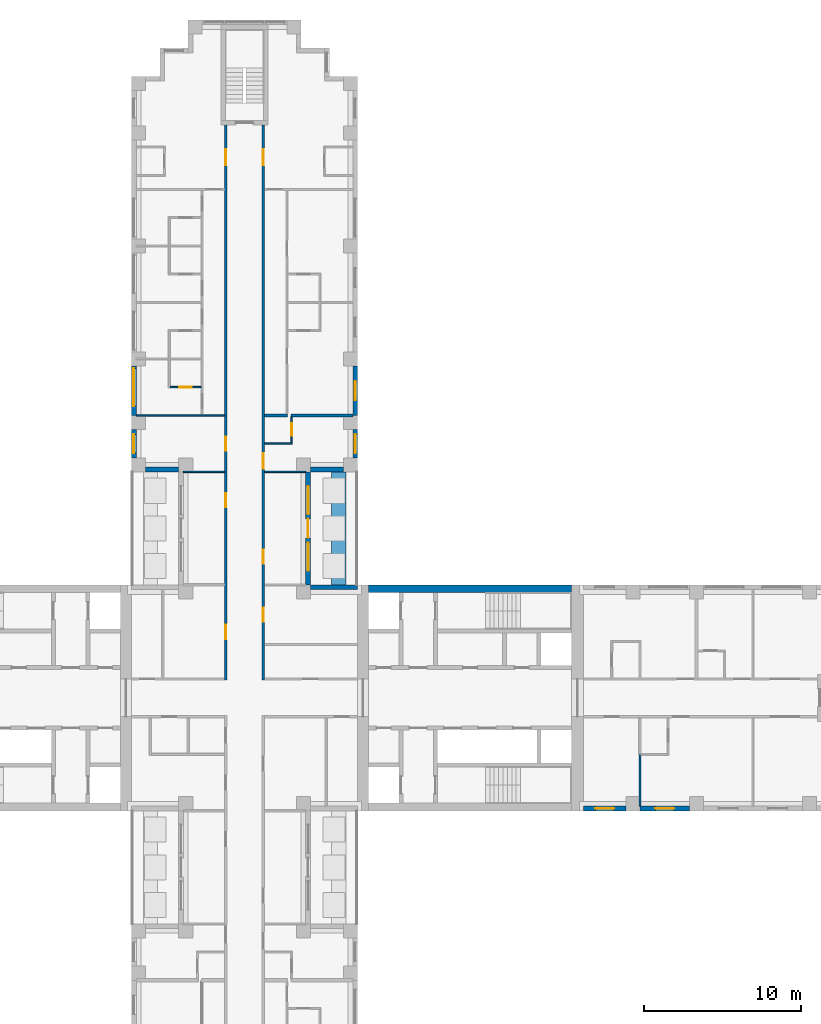
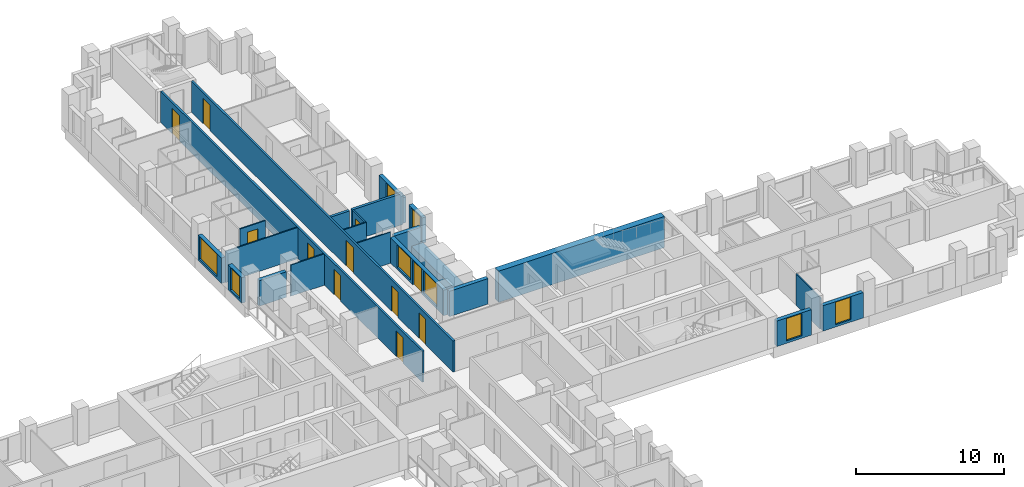
# One storey, part 9 of 15: 23 walls, 11 doors, 8 windows, 19 openings.
"""IFC4 building model written with IfcOpenShell, lengths in metres."""

import ifcopenshell
import ifcopenshell.guid

model = None  # the IFC model being written
_history = None  # IfcOwnerHistory: only IFC2X3 demands one
_inside = {}  # id of a spatial element -> (the spatial element, [elements in it])
_under = {}  # id of a project, library or spatial element -> (it, [spatial elements below it])
_declared = {}  # id of a project -> (the project, [libraries it declares])
_typed = {}  # id of a type object -> (the type object, [elements of that type])
_made_of = {}  # id of a material, layer set ... -> (it, [elements and type objects made of it])


def new_model(schema):
    """Start an empty IFC model of exactly this schema.

    Asked for "IFC4X3", IfcOpenShell would pick the latest addendum, in which some entities
    have other attributes; the version numbers below select the first issue.
    IFC2X3 requires an IfcOwnerHistory on every rooted entity: one is made here for all.
    """
    global model, _history
    if schema == "IFC4X3":
        model = ifcopenshell.file(schema_version=(4, 3, 0, 0))
    else:
        model = ifcopenshell.file(schema=schema)
    _inside.clear()
    _under.clear()
    _declared.clear()
    _typed.clear()
    _made_of.clear()
    _history = None
    if model.schema == "IFC2X3":
        org = make("IfcOrganization", Name="unknown")
        user = make(
            "IfcPersonAndOrganization",
            ThePerson=make("IfcPerson", FamilyName="unknown"),
            TheOrganization=org,
        )
        app = make(
            "IfcApplication",
            ApplicationDeveloper=org,
            Version="unknown",
            ApplicationFullName="unknown",
            ApplicationIdentifier="unknown",
        )
        _history = make(
            "IfcOwnerHistory",
            OwningUser=user,
            OwningApplication=app,
            ChangeAction="ADDED",
            CreationDate=0,
        )
    return model


def make(cls, **values):
    """One entity of the class cls with the attributes given. An attribute that is None is left unset."""
    return model.create_entity(
        cls, **{name: value for name, value in values.items() if value is not None}
    )


def rooted(cls, **values):
    """An entity with a GlobalId (a new one), such as an element, a storey or a relation."""
    return make(cls, GlobalId=ifcopenshell.guid.new(), OwnerHistory=_history, **values)


def si_unit(unit_type, name, prefix=None):
    """IfcSIUnit, for example si_unit("LENGTHUNIT", "METRE", prefix="MILLI")."""
    return make("IfcSIUnit", UnitType=unit_type, Prefix=prefix, Name=name)


def assignment(units):
    """IfcUnitAssignment: the units of a project."""
    return None if units is None else make("IfcUnitAssignment", Units=units)


def point(xyz):
    """IfcCartesianPoint."""
    return None if xyz is None else make("IfcCartesianPoint", Coordinates=xyz)


def direction(xyz):
    """IfcDirection."""
    return None if xyz is None else make("IfcDirection", DirectionRatios=xyz)


def frame(location, z_axis=None, x_axis=None):
    """IfcAxis2Placement3D, a coordinate frame: its origin and axes. An axis left out is left unset."""
    return make(
        "IfcAxis2Placement3D",
        Location=point(location),
        Axis=direction(z_axis),
        RefDirection=direction(x_axis),
    )


def frame_2d(location, x_axis=None):
    """IfcAxis2Placement2D, a coordinate frame in the plane: its origin and x axis."""
    return make(
        "IfcAxis2Placement2D", Location=point(location), RefDirection=direction(x_axis)
    )


def origin():
    """The frame at (0, 0, 0) with its axes left unset."""
    return frame((0.0, 0.0, 0.0))


def place(relative_to, where):
    """IfcLocalPlacement: puts the frame where relative to a parent placement (None: the world)."""
    return make(
        "IfcLocalPlacement", PlacementRelTo=relative_to, RelativePlacement=where
    )


def context(
    kind, dimensions, precision=None, world=None, true_north=None, identifier=None
):
    """IfcGeometricRepresentationContext, for example the 3D "Model" context."""
    return make(
        "IfcGeometricRepresentationContext",
        ContextIdentifier=identifier,
        ContextType=kind,
        CoordinateSpaceDimension=dimensions,
        Precision=precision,
        WorldCoordinateSystem=world,
        TrueNorth=true_north,
    )


def subcontext(parent, identifier, kind, view, scale=None):
    """IfcGeometricRepresentationSubContext, for example "Body" below "Model"."""
    return make(
        "IfcGeometricRepresentationSubContext",
        ContextIdentifier=identifier,
        ContextType=kind,
        ParentContext=parent,
        TargetScale=scale,
        TargetView=view,
    )


def project(units=None, contexts=None):
    """IfcProject with its units and contexts."""
    return rooted(
        "IfcProject",
        Name="project",
        RepresentationContexts=contexts,
        UnitsInContext=assignment(units),
    )


def spatial(cls, under=None, at=None, **own):
    """A site, building, storey or space (cls), placed at a placement, below another one or the project."""
    s = rooted(cls, ObjectPlacement=at, **own)
    if under is not None:
        _under.setdefault(under.id(), (under, []))[1].append(s)
    return s


def profile(cls, at=None, kind="AREA", **sizes):
    """A parametric profile (cls). Its sizes go by their IFC names, for example OverallWidth=200.0."""
    return make(cls, ProfileType=kind, Position=at, **sizes)


def rectangle(**sizes):
    """IfcRectangleProfileDef."""
    return profile("IfcRectangleProfileDef", **sizes)


def extrude(swept, where, along, depth):
    """IfcExtrudedAreaSolid: the profile swept, set in the frame where, extruded along a direction by depth."""
    return make(
        "IfcExtrudedAreaSolid",
        SweptArea=swept,
        Position=where,
        ExtrudedDirection=direction(along),
        Depth=depth,
    )


def shape(context_of_items, identifier, shape_type, items):
    """IfcShapeRepresentation: the items that make up one representation, for example the "Body"."""
    return make(
        "IfcShapeRepresentation",
        ContextOfItems=context_of_items,
        RepresentationIdentifier=identifier,
        RepresentationType=shape_type,
        Items=items,
    )


def material(Name=None, Category=None):
    """IfcMaterial."""
    return make("IfcMaterial", Name=Name, Category=Category)


def layer(
    of_material, thickness, ventilated=None, Name=None, Category=None, Priority=None
):
    """IfcMaterialLayer: one layer of a wall or slab, of a material (None: an air gap)."""
    return make(
        "IfcMaterialLayer",
        Material=of_material,
        LayerThickness=thickness,
        IsVentilated=ventilated,
        Name=Name,
        Category=Category,
        Priority=Priority,
    )


def layer_set(layers, Name=None):
    """IfcMaterialLayerSet."""
    return make("IfcMaterialLayerSet", MaterialLayers=layers, LayerSetName=Name)


def made_of(thing, what):
    """Note that an element or type object is made of a material, layer set ...; save() writes the relation."""
    if what is not None:
        _made_of.setdefault(what.id(), (what, []))[1].append(thing)
    return thing


def type_object(cls, material=None, **own):
    """A type object (cls), such as IfcWallType, which elements share."""
    return made_of(rooted(cls, **own), material)


def element(
    cls,
    number,
    at=None,
    inside=None,
    cuts=None,
    type_object=None,
    material=None,
    context=None,
    identifier="Body",
    shape_type=None,
    held_by="IfcProductDefinitionShape",
    body=None,
    shapes=None,
    **own,
):
    """One element of the class cls, such as IfcWall. Its Tag is "e" and its number.

    at: its placement. inside: the storey or other place that contains it. cuts: it is an
    opening in that element (IfcRelVoidsElement). A single representation is given by context,
    identifier, shape_type and body (its items); several are given by shapes. held_by: the class
    of the entity that holds the representations. save() writes the other relations.
    """
    e = rooted(cls, Tag="e%d" % number, ObjectPlacement=at, **own)
    if body is not None:
        shapes = [shape(context, identifier, shape_type, body)]
    if shapes is not None:
        e.Representation = make(held_by, Representations=shapes)
    if inside is not None:
        _inside.setdefault(inside.id(), (inside, []))[1].append(e)
    if cuts is not None:
        rooted(
            "IfcRelVoidsElement", RelatingBuildingElement=cuts, RelatedOpeningElement=e
        )
    if type_object is not None:
        _typed.setdefault(type_object.id(), (type_object, []))[1].append(e)
    return made_of(e, material)


def fill(opening, filler):
    """IfcRelFillsElement: the door or window that sits in an opening."""
    return rooted(
        "IfcRelFillsElement",
        RelatingOpeningElement=opening,
        RelatedBuildingElement=filler,
    )


def aggregate(whole, parts):
    """IfcRelAggregates: a whole, such as a stair, and the parts it consists of."""
    return rooted("IfcRelAggregates", RelatingObject=whole, RelatedObjects=parts)


def save(model, path):
    """Write the relations noted so far, then the file.

    IfcRelAggregates (storeys below a building ...), IfcRelContainedInSpatialStructure (elements
    in a storey), IfcRelDefinesByType, IfcRelAssociatesMaterial and IfcRelDeclares: one each for
    every whole, place, type object, material and project.
    """
    for whole, parts in _under.values():
        aggregate(whole, parts)
    for where, things in _inside.values():
        rooted(
            "IfcRelContainedInSpatialStructure",
            RelatedElements=things,
            RelatingStructure=where,
        )
    for kind, things in _typed.values():
        rooted("IfcRelDefinesByType", RelatedObjects=things, RelatingType=kind)
    for what, things in _made_of.values():
        rooted("IfcRelAssociatesMaterial", RelatedObjects=things, RelatingMaterial=what)
    for by, libraries in _declared.values():
        rooted("IfcRelDeclares", RelatingContext=by, RelatedDefinitions=libraries)
    model.write(path)


model = new_model("IFC4")

# Units and contexts
model_context = context("Model", 3, precision=1e-05, world=origin(), true_north=direction((0.0, 1.0)))
body_context = subcontext(model_context, "Body", "Model", "MODEL_VIEW")
ifc_project = project(units=[si_unit("LENGTHUNIT", "METRE"), si_unit("AREAUNIT", "SQUARE_METRE"), si_unit("VOLUMEUNIT", "CUBIC_METRE"), si_unit("PLANEANGLEUNIT", "RADIAN"), si_unit("MASSUNIT", "GRAM", prefix="KILO")], contexts=[model_context])

# Site, building, storey
site_placement = place(None, origin())
site = spatial("IfcSite", under=ifc_project, at=site_placement, CompositionType="ELEMENT")
building_placement = place(site_placement, origin())
building = spatial("IfcBuilding", under=site, at=building_placement, Name="Fustian Cross Tower", CompositionType="ELEMENT")
storey_placement = place(building_placement, frame((0.0, 0.0, 29.699951171875)))
storey = spatial("IfcBuildingStorey", under=building, at=storey_placement, Name="L08", CompositionType="ELEMENT", Elevation=29.699951171875)

# Wall, openings, doors
ifc_material_1 = material(Name="Plasterboard on steel stud", Category="steel")
ifc_layer_1 = layer(ifc_material_1, 0.14990234375)
ifc_layer_set_1 = layer_set([ifc_layer_1], Name="Plasterboard on steel stud")
wall_type_1 = type_object("IfcWallType", Name="COMPARTMENT WALL 150 EI 60", PredefinedType="PARTITIONING", material=ifc_layer_set_1)
wall_1_placement = place(storey_placement, frame((-1.199951171875, 1.125, 0.0), z_axis=(0.0, 0.0, 1.0), x_axis=(0.0, 1.0, 0.0)))
wall_1 = element("IfcWall", 1, at=wall_1_placement, inside=storey, type_object=wall_type_1, Name="Partition 46", PredefinedType="PARTITIONING", context=body_context, shape_type="SweptSolid", body=[
    extrude(rectangle(XDim=35.375, YDim=0.14990234375, at=frame_2d((17.6875, 0.0))), origin(), (0.0, 0.0, 1.0), 2.574951171875),
])
opening_1_placement = place(wall_1_placement, frame((2.625, 0.0, 0.0)))
opening_1 = element("IfcOpeningElement", 2, at=opening_1_placement, cuts=wall_1, Name="Opening D06003", PredefinedType="OPENING", context=body_context, shape_type="SweptSolid", body=[
    extrude(rectangle(XDim=0.89990234375, YDim=2.10009765625, at=frame_2d((0.449951171875, 1.050048828125))), frame((0.0, 0.0849609375, 0.0), z_axis=(0.0, -1.0, 0.0), x_axis=(1.0, 0.0, 0.0)), (0.0, 0.0, 1.0), 0.169921875),
])
opening_2_placement = place(wall_1_placement, frame((11.02490234375, 0.0, 0.0)))
opening_2 = element("IfcOpeningElement", 3, at=opening_2_placement, cuts=wall_1, Name="Opening D06019", PredefinedType="OPENING", context=body_context, shape_type="SweptSolid", body=[
    extrude(rectangle(XDim=0.89990234375, YDim=2.10009765625, at=frame_2d((0.449951171875, 1.050048828125))), frame((0.0, 0.0849609375, 0.0), z_axis=(0.0, -1.0, 0.0), x_axis=(1.0, 0.0, 0.0)), (0.0, 0.0, 1.0), 0.169921875),
])
opening_3_placement = place(wall_1_placement, frame((14.625, 0.0, 0.0)))
opening_3 = element("IfcOpeningElement", 4, at=opening_3_placement, cuts=wall_1, Name="Opening D06020", PredefinedType="OPENING", context=body_context, shape_type="SweptSolid", body=[
    extrude(rectangle(XDim=0.89990234375, YDim=2.10009765625, at=frame_2d((0.449951171875, 1.050048828125))), frame((0.0, 0.0849609375, 0.0), z_axis=(0.0, -1.0, 0.0), x_axis=(1.0, 0.0, 0.0)), (0.0, 0.0, 1.0), 0.169921875),
])
opening_4_placement = place(wall_1_placement, frame((32.824951171875, 0.0, 0.0)))
opening_4 = element("IfcOpeningElement", 5, at=opening_4_placement, cuts=wall_1, Name="Opening D06022", PredefinedType="OPENING", context=body_context, shape_type="SweptSolid", body=[
    extrude(rectangle(XDim=1.0, YDim=2.10009765625, at=frame_2d((0.5, 1.050048828125))), frame((0.0, 0.0849609375, 0.0), z_axis=(0.0, -1.0, 0.0), x_axis=(1.0, 0.0, 0.0)), (0.0, 0.0, 1.0), 0.169921875),
])
ifc_material_2 = material(Name="Timber fire door set", Category="wood")
door_type_1 = type_object("IfcDoorType", Name="FIRE SWING DOOR 1000 FD30S", OperationType="SINGLE_SWING_LEFT", PredefinedType="DOOR", material=ifc_material_2)
door_1_placement = place(opening_4_placement, origin())
door_1 = element("IfcDoor", 6, at=door_1_placement, inside=storey, type_object=door_type_1, Name="Door D06022", OperationType="SINGLE_SWING_LEFT", OverallHeight=2.10009765625, OverallWidth=1.0, PredefinedType="DOOR", context=body_context, shape_type="SweptSolid", body=[
    extrude(rectangle(XDim=1.0, YDim=2.10009765625, at=frame_2d((0.5, 1.050048828125))), frame((0.0, 0.02490234375, 0.0), z_axis=(0.0, -1.0, 0.0), x_axis=(1.0, 0.0, 0.0)), (0.0, 0.0, 1.0), 0.050048828125),
])
fill(opening_4, door_1)
ifc_material_3 = material(Name="Timber fire door set", Category="wood")
door_type_2 = type_object("IfcDoorType", Name="FIRE SWING DOOR 900 FD30S", OperationType="SINGLE_SWING_LEFT", PredefinedType="DOOR", material=ifc_material_3)
door_2_placement = place(opening_1_placement, origin())
door_2 = element("IfcDoor", 7, at=door_2_placement, inside=storey, type_object=door_type_2, Name="Door D06003", OperationType="SINGLE_SWING_LEFT", OverallHeight=2.10009765625, OverallWidth=0.89990234375, PredefinedType="DOOR", context=body_context, shape_type="SweptSolid", body=[
    extrude(rectangle(XDim=0.89990234375, YDim=2.10009765625, at=frame_2d((0.449951171875, 1.050048828125))), frame((0.0, 0.02490234375, 0.0), z_axis=(0.0, -1.0, 0.0), x_axis=(1.0, 0.0, 0.0)), (0.0, 0.0, 1.0), 0.050048828125),
])
fill(opening_1, door_2)
door_3_placement = place(opening_2_placement, origin())
door_3 = element("IfcDoor", 8, at=door_3_placement, inside=storey, type_object=door_type_2, Name="Door D06019", OperationType="SINGLE_SWING_RIGHT", OverallHeight=2.10009765625, OverallWidth=0.89990234375, PredefinedType="DOOR", context=body_context, shape_type="SweptSolid", body=[
    extrude(rectangle(XDim=0.89990234375, YDim=2.10009765625, at=frame_2d((0.449951171875, 1.050048828125))), frame((0.0, 0.02490234375, 0.0), z_axis=(0.0, -1.0, 0.0), x_axis=(1.0, 0.0, 0.0)), (0.0, 0.0, 1.0), 0.050048828125),
])
fill(opening_2, door_3)
door_4_placement = place(opening_3_placement, origin())
door_4 = element("IfcDoor", 9, at=door_4_placement, inside=storey, type_object=door_type_2, Name="Door D06020", OperationType="SINGLE_SWING_LEFT", OverallHeight=2.10009765625, OverallWidth=0.89990234375, PredefinedType="DOOR", context=body_context, shape_type="SweptSolid", body=[
    extrude(rectangle(XDim=0.89990234375, YDim=2.10009765625, at=frame_2d((0.449951171875, 1.050048828125))), frame((0.0, 0.02490234375, 0.0), z_axis=(0.0, -1.0, 0.0), x_axis=(1.0, 0.0, 0.0)), (0.0, 0.0, 1.0), 0.050048828125),
])
fill(opening_3, door_4)

wall_2_placement = place(storey_placement, frame((1.199951171875, 1.125, 0.0), z_axis=(0.0, 0.0, 1.0), x_axis=(0.0, 1.0, 0.0)))
wall_2 = element("IfcWall", 10, at=wall_2_placement, inside=storey, type_object=wall_type_1, Name="Partition 54", PredefinedType="PARTITIONING", context=body_context, shape_type="SweptSolid", body=[
    extrude(rectangle(XDim=35.375, YDim=0.14990234375, at=frame_2d((17.6875, 0.0))), origin(), (0.0, 0.0, 1.0), 2.574951171875),
])
opening_5_placement = place(wall_2_placement, frame((3.72509765625, 0.0, 0.0)))
opening_5 = element("IfcOpeningElement", 11, at=opening_5_placement, cuts=wall_2, Name="Opening D06002", PredefinedType="OPENING", context=body_context, shape_type="SweptSolid", body=[
    extrude(rectangle(XDim=0.89990234375, YDim=2.10009765625, at=frame_2d((0.449951171875, 1.050048828125))), frame((0.0, 0.0849609375, 0.0), z_axis=(0.0, -1.0, 0.0), x_axis=(1.0, 0.0, 0.0)), (0.0, 0.0, 1.0), 0.169921875),
])
opening_6_placement = place(wall_2_placement, frame((7.425048828125, 0.0, 0.0)))
opening_6 = element("IfcOpeningElement", 12, at=opening_6_placement, cuts=wall_2, Name="Opening D06032", PredefinedType="OPENING", context=body_context, shape_type="SweptSolid", body=[
    extrude(rectangle(XDim=0.89990234375, YDim=2.10009765625, at=frame_2d((0.449951171875, 1.050048828125))), frame((0.0, 0.0849609375, 0.0), z_axis=(0.0, -1.0, 0.0), x_axis=(1.0, 0.0, 0.0)), (0.0, 0.0, 1.0), 0.169921875),
])
opening_7_placement = place(wall_2_placement, frame((13.47509765625, 0.0, 0.0)))
opening_7 = element("IfcOpeningElement", 13, at=opening_7_placement, cuts=wall_2, Name="Opening D06034", PredefinedType="OPENING", context=body_context, shape_type="SweptSolid", body=[
    extrude(rectangle(XDim=1.0, YDim=2.10009765625, at=frame_2d((0.5, 1.050048828125))), frame((0.0, 0.0849609375, 0.0), z_axis=(0.0, -1.0, 0.0), x_axis=(1.0, 0.0, 0.0)), (0.0, 0.0, 1.0), 0.169921875),
])
opening_8_placement = place(wall_2_placement, frame((32.824951171875, 0.0, 0.0)))
opening_8 = element("IfcOpeningElement", 14, at=opening_8_placement, cuts=wall_2, Name="Opening D06036", PredefinedType="OPENING", context=body_context, shape_type="SweptSolid", body=[
    extrude(rectangle(XDim=1.0, YDim=2.10009765625, at=frame_2d((0.5, 1.050048828125))), frame((0.0, 0.0849609375, 0.0), z_axis=(0.0, -1.0, 0.0), x_axis=(1.0, 0.0, 0.0)), (0.0, 0.0, 1.0), 0.169921875),
])
door_5_placement = place(opening_7_placement, frame((1.0, 0.0, 0.0), z_axis=(0.0, 0.0, 1.0), x_axis=(-1.0, 0.0, 0.0)))
door_5 = element("IfcDoor", 15, at=door_5_placement, inside=storey, type_object=door_type_1, Name="Door D06034", OperationType="SINGLE_SWING_RIGHT", OverallHeight=2.10009765625, OverallWidth=1.0, PredefinedType="DOOR", context=body_context, shape_type="SweptSolid", body=[
    extrude(rectangle(XDim=1.0, YDim=2.10009765625, at=frame_2d((0.5, 1.050048828125))), frame((0.0, 0.02490234375, 0.0), z_axis=(0.0, -1.0, 0.0), x_axis=(1.0, 0.0, 0.0)), (0.0, 0.0, 1.0), 0.050048828125),
])
fill(opening_7, door_5)
door_6_placement = place(opening_8_placement, frame((1.0, 0.0, 0.0), z_axis=(0.0, 0.0, 1.0), x_axis=(-1.0, 0.0, 0.0)))
door_6 = element("IfcDoor", 16, at=door_6_placement, inside=storey, type_object=door_type_1, Name="Door D06036", OperationType="SINGLE_SWING_RIGHT", OverallHeight=2.10009765625, OverallWidth=1.0, PredefinedType="DOOR", context=body_context, shape_type="SweptSolid", body=[
    extrude(rectangle(XDim=1.0, YDim=2.10009765625, at=frame_2d((0.5, 1.050048828125))), frame((0.0, 0.02490234375, 0.0), z_axis=(0.0, -1.0, 0.0), x_axis=(1.0, 0.0, 0.0)), (0.0, 0.0, 1.0), 0.050048828125),
])
fill(opening_8, door_6)
door_7_placement = place(opening_5_placement, frame((0.89990234375, 0.0, 0.0), z_axis=(0.0, 0.0, 1.0), x_axis=(-1.0, 0.0, 0.0)))
door_7 = element("IfcDoor", 17, at=door_7_placement, inside=storey, type_object=door_type_2, Name="Door D06002", OperationType="SINGLE_SWING_LEFT", OverallHeight=2.10009765625, OverallWidth=0.89990234375, PredefinedType="DOOR", context=body_context, shape_type="SweptSolid", body=[
    extrude(rectangle(XDim=0.89990234375, YDim=2.10009765625, at=frame_2d((0.449951171875, 1.050048828125))), frame((0.0, 0.02490234375, 0.0), z_axis=(0.0, -1.0, 0.0), x_axis=(1.0, 0.0, 0.0)), (0.0, 0.0, 1.0), 0.050048828125),
])
fill(opening_5, door_7)
door_8_placement = place(opening_6_placement, frame((0.89990234375, 0.0, 0.0), z_axis=(0.0, 0.0, 1.0), x_axis=(-1.0, 0.0, 0.0)))
door_8 = element("IfcDoor", 18, at=door_8_placement, inside=storey, type_object=door_type_2, Name="Door D06032", OperationType="SINGLE_SWING_RIGHT", OverallHeight=2.10009765625, OverallWidth=0.89990234375, PredefinedType="DOOR", context=body_context, shape_type="SweptSolid", body=[
    extrude(rectangle(XDim=0.89990234375, YDim=2.10009765625, at=frame_2d((0.449951171875, 1.050048828125))), frame((0.0, 0.02490234375, 0.0), z_axis=(0.0, -1.0, 0.0), x_axis=(1.0, 0.0, 0.0)), (0.0, 0.0, 1.0), 0.050048828125),
])
fill(opening_6, door_8)

# Walls
ifc_material_4 = material(Name="Concrete C80/95", Category="concrete")
ifc_layer_2 = layer(ifc_material_4, 0.5)
ifc_layer_set_2 = layer_set([ifc_layer_2], Name="Concrete C80/95")
wall_type_2 = type_object("IfcWallType", Name="CORE FACADE WALL 500 C80/95", PredefinedType="SHEAR", material=ifc_layer_set_2)
wall_3_placement = place(storey_placement, frame((7.89990234375, 6.949951171875, 0.0), z_axis=(0.0, 0.0, 1.0), x_axis=(1.0, 0.0, 0.0)))
element("IfcWall", 19, at=wall_3_placement, inside=storey, type_object=wall_type_2, Name="Core facade wall", PredefinedType="SHEAR", context=body_context, shape_type="SweptSolid", body=[
    extrude(rectangle(XDim=12.9501953125, YDim=0.5, at=frame_2d((6.47509765625, 0.0))), origin(), (0.0, 0.0, 1.0), 2.574951171875),
])
ifc_material_5 = material(Name="Plasterboard on steel stud", Category="steel")
ifc_layer_3 = layer(ifc_material_5, 0.10009765625)
ifc_layer_set_3 = layer_set([ifc_layer_3], Name="Plasterboard on steel stud")
wall_type_3 = type_object("IfcWallType", Name="PARTITION 100 STUD", PredefinedType="PARTITIONING", material=ifc_layer_set_3)
wall_4_placement = place(storey_placement, frame((-6.89990234375, 18.0, 0.0), z_axis=(0.0, 0.0, 1.0), x_axis=(1.0, 0.0, 0.0)))
element("IfcWall", 20, at=wall_4_placement, inside=storey, type_object=wall_type_3, Name="Partition 14", PredefinedType="PARTITIONING", context=body_context, shape_type="SweptSolid", body=[
    extrude(rectangle(XDim=5.625, YDim=0.10009765625, at=frame_2d((2.8125, 0.0))), origin(), (0.0, 0.0, 1.0), 2.574951171875),
])

# Wall, opening, door
wall_5_placement = place(storey_placement, frame((-4.75, 19.800048828125, 0.0), z_axis=(0.0, 0.0, 1.0), x_axis=(1.0, 0.0, 0.0)))
wall_5 = element("IfcWall", 21, at=wall_5_placement, inside=storey, type_object=wall_type_3, Name="Partition 30", PredefinedType="PARTITIONING", context=body_context, shape_type="SweptSolid", body=[
    extrude(rectangle(XDim=2.0, YDim=0.10009765625, at=frame_2d((1.0, 0.0))), origin(), (0.0, 0.0, 1.0), 2.574951171875),
])
opening_9_placement = place(wall_5_placement, frame((0.60009765625, 0.0, 0.0)))
opening_9 = element("IfcOpeningElement", 22, at=opening_9_placement, cuts=wall_5, Name="Opening D06028", PredefinedType="OPENING", context=body_context, shape_type="SweptSolid", body=[
    extrude(rectangle(XDim=0.800048828125, YDim=2.10009765625, at=frame_2d((0.39990234375, 1.050048828125))), frame((0.0, 0.06005859375, 0.0), z_axis=(0.0, -1.0, 0.0), x_axis=(1.0, 0.0, 0.0)), (0.0, 0.0, 1.0), 0.1201171875),
])
ifc_material_6 = material(Name="Painted timber", Category="wood")
door_type_3 = type_object("IfcDoorType", Name="SWING DOOR 800", OperationType="SINGLE_SWING_LEFT", PredefinedType="DOOR", material=ifc_material_6)
door_9_placement = place(opening_9_placement, origin())
door_9 = element("IfcDoor", 23, at=door_9_placement, inside=storey, type_object=door_type_3, Name="Door D06028", OperationType="SINGLE_SWING_LEFT", OverallHeight=2.10009765625, OverallWidth=0.800048828125, PredefinedType="DOOR", context=body_context, shape_type="SweptSolid", body=[
    extrude(rectangle(XDim=0.800048828125, YDim=2.10009765625, at=frame_2d((0.39990234375, 1.050048828125))), frame((0.0, 0.02490234375, 0.0), z_axis=(0.0, -1.0, 0.0), x_axis=(1.0, 0.0, 0.0)), (0.0, 0.0, 1.0), 0.050048828125),
])
fill(opening_9, door_9)

# Walls
for number, where, z_axis, x_axis, name in (
    (24, (-3.89990234375, 14.39990234375, 0.0), (0.0, 0.0, 1.0), (1.0, 0.0, 0.0), "Partition 38"),
    (25, (1.27490234375, 14.39990234375, 0.0), (0.0, 0.0, 1.0), (1.0, 0.0, 0.0), "Partition 58"),
):
    element("IfcWall", number, at=place(storey_placement, frame(where, z_axis=z_axis, x_axis=x_axis)), inside=storey, type_object=wall_type_3, Name=name, PredefinedType="PARTITIONING", context=body_context, shape_type="SweptSolid", body=[
        extrude(rectangle(XDim=2.625, YDim=0.10009765625, at=frame_2d((1.3125, 0.0))), origin(), (0.0, 0.0, 1.0), 2.574951171875),
    ])
wall_6_placement = place(storey_placement, frame((1.27490234375, 16.199951171875, 0.0), z_axis=(0.0, 0.0, 1.0), x_axis=(1.0, 0.0, 0.0)))
element("IfcWall", 26, at=wall_6_placement, inside=storey, type_object=wall_type_3, Name="Partition 59", PredefinedType="PARTITIONING", context=body_context, shape_type="SweptSolid", body=[
    extrude(rectangle(XDim=1.775146484375, YDim=0.10009765625, at=frame_2d((0.8876953125, 0.0))), origin(), (0.0, 0.0, 1.0), 2.574951171875),
])

# Wall, opening, door
wall_7_placement = place(storey_placement, frame((3.0, 16.25, 0.0), z_axis=(0.0, 0.0, 1.0), x_axis=(0.0, 1.0, 0.0)))
wall_7 = element("IfcWall", 27, at=wall_7_placement, inside=storey, type_object=wall_type_3, Name="Partition 76", PredefinedType="PARTITIONING", context=body_context, shape_type="SweptSolid", body=[
    extrude(rectangle(XDim=1.64990234375, YDim=0.10009765625, at=frame_2d((0.824951171875, 0.0))), origin(), (0.0, 0.0, 1.0), 2.574951171875),
])
opening_10_placement = place(wall_7_placement, frame((0.449951171875, 0.0, 0.0)))
opening_10 = element("IfcOpeningElement", 28, at=opening_10_placement, cuts=wall_7, Name="Opening D06033", PredefinedType="OPENING", context=body_context, shape_type="SweptSolid", body=[
    extrude(rectangle(XDim=0.800048828125, YDim=2.10009765625, at=frame_2d((0.39990234375, 1.050048828125))), frame((0.0, 0.06005859375, 0.0), z_axis=(0.0, -1.0, 0.0), x_axis=(1.0, 0.0, 0.0)), (0.0, 0.0, 1.0), 0.1201171875),
])
door_10_placement = place(opening_10_placement, origin())
door_10 = element("IfcDoor", 29, at=door_10_placement, inside=storey, type_object=door_type_3, Name="Door D06033", OperationType="SINGLE_SWING_RIGHT", OverallHeight=2.10009765625, OverallWidth=0.800048828125, PredefinedType="DOOR", context=body_context, shape_type="SweptSolid", body=[
    extrude(rectangle(XDim=0.800048828125, YDim=2.10009765625, at=frame_2d((0.39990234375, 1.050048828125))), frame((0.0, 0.02490234375, 0.0), z_axis=(0.0, -1.0, 0.0), x_axis=(1.0, 0.0, 0.0)), (0.0, 0.0, 1.0), 0.050048828125),
])
fill(opening_10, door_10)

# Walls
wall_8_placement = place(storey_placement, frame((25.199951171875, -6.89990234375, 0.0), z_axis=(0.0, 0.0, 1.0), x_axis=(0.0, 1.0, 0.0)))
element("IfcWall", 30, at=wall_8_placement, inside=storey, type_object=wall_type_3, Name="Partition 92", PredefinedType="PARTITIONING", context=body_context, shape_type="SweptSolid", body=[
    extrude(rectangle(XDim=3.2998046875, YDim=0.10009765625, at=frame_2d((1.64990234375, 0.0))), origin(), (0.0, 0.0, 1.0), 2.574951171875),
])
ifc_material_7 = material(Name="Plasterboard on steel stud", Category="steel")
ifc_layer_4 = layer(ifc_material_7, 0.199951171875)
ifc_layer_set_4 = layer_set([ifc_layer_4], Name="Plasterboard on steel stud")
wall_type_4 = type_object("IfcWallType", Name="PARTY WALL 200 EI 60", PredefinedType="PARTITIONING", material=ifc_layer_set_4)
wall_9_placement = place(storey_placement, frame((1.27490234375, 18.0, 0.0), z_axis=(0.0, 0.0, 1.0), x_axis=(1.0, 0.0, 0.0)))
element("IfcWall", 31, at=wall_9_placement, inside=storey, type_object=wall_type_4, Name="Partition 60", PredefinedType="PARTITIONING", context=body_context, shape_type="SweptSolid", body=[
    extrude(rectangle(XDim=1.47509765625, YDim=0.199951171875, at=frame_2d((0.737548828125, 0.0))), origin(), (0.0, 0.0, 1.0), 2.574951171875),
])
wall_10_placement = place(storey_placement, frame((2.949951171875, 18.0, 0.0), z_axis=(0.0, 0.0, 1.0), x_axis=(1.0, 0.0, 0.0)))
element("IfcWall", 32, at=wall_10_placement, inside=storey, type_object=wall_type_4, Name="Partition 77", PredefinedType="PARTITIONING", context=body_context, shape_type="SweptSolid", body=[
    extrude(rectangle(XDim=3.949951171875, YDim=0.199951171875, at=frame_2d((1.97509765625, 0.0))), origin(), (0.0, 0.0, 1.0), 2.574951171875),
])
ifc_material_8 = material(Name="Concrete C40/50", Category="concrete")
ifc_layer_5 = layer(ifc_material_8, 0.89990234375)
ifc_layer_set_5 = layer_set([ifc_layer_5], Name="Concrete C40/50")
wall_type_5 = type_object("IfcWallType", Name="PK1 PLANTER 900", PredefinedType="PARAPET", material=ifc_layer_set_5)
wall_11_placement = place(storey_placement, frame((6.0, 7.199951171875, 0.0), z_axis=(0.0, 0.0, 1.0), x_axis=(0.0, 1.0, 0.0)))
element("IfcWall", 33, at=wall_11_placement, inside=storey, type_object=wall_type_5, Name="PLANTER", PredefinedType="PARAPET", context=body_context, shape_type="SweptSolid", body=[
    extrude(rectangle(XDim=7.199951171875, YDim=0.89990234375, at=frame_2d((3.60009765625, 0.0))), origin(), (0.0, 0.0, 1.0), 0.800048828125),
])

# Wall, opening, window
ifc_material_9 = material(Name="Dark aluminium cladding on insulated backing wall", Category="aluminium")
ifc_layer_6 = layer(ifc_material_9, 0.300048828125)
ifc_layer_set_6 = layer_set([ifc_layer_6], Name="Dark aluminium cladding on insulated backing wall")
wall_type_6 = type_object("IfcWallType", Name="XW1 EXTERNAL WALL 300", PredefinedType="SOLIDWALL", material=ifc_layer_set_6)
wall_12_placement = place(storey_placement, frame((21.60009765625, -7.050048828125, 0.0), z_axis=(0.0, 0.0, 1.0), x_axis=(1.0, 0.0, 0.0)))
wall_12 = element("IfcWall", 34, at=wall_12_placement, inside=storey, type_object=wall_type_6, Name="External wall", PredefinedType="SOLIDWALL", context=body_context, shape_type="SweptSolid", body=[
    extrude(rectangle(XDim=2.699951171875, YDim=0.300048828125, at=frame_2d((1.35009765625, 0.0))), origin(), (0.0, 0.0, 1.0), 2.10009765625),
])
opening_11_placement = place(wall_12_placement, frame((0.75, 0.0, 0.199951171875)))
opening_11 = element("IfcOpeningElement", 35, at=opening_11_placement, cuts=wall_12, Name="Opening WN3", PredefinedType="OPENING", context=body_context, shape_type="SweptSolid", body=[
    extrude(rectangle(XDim=1.199951171875, YDim=1.85009765625, at=frame_2d((0.60009765625, 0.925048828125))), frame((0.0, 0.159912109375, 0.0), z_axis=(0.0, -1.0, 0.0), x_axis=(1.0, 0.0, 0.0)), (0.0, 0.0, 1.0), 0.320068359375),
])
ifc_material_10 = material(Name="Dark anodised aluminium and double glazing", Category="aluminium")
window_type_1 = type_object("IfcWindowType", Name="WN3 WINDOW 1200X1850", PartitioningType="SINGLE_PANEL", PredefinedType="WINDOW", material=ifc_material_10)
window_1_placement = place(opening_11_placement, origin())
window_1 = element("IfcWindow", 36, at=window_1_placement, inside=storey, type_object=window_type_1, Name="Window", OverallHeight=1.85009765625, OverallWidth=1.199951171875, PartitioningType="SINGLE_PANEL", PredefinedType="WINDOW", context=body_context, shape_type="SweptSolid", body=[
    extrude(rectangle(XDim=1.199951171875, YDim=1.85009765625, at=frame_2d((0.60009765625, 0.925048828125))), frame((0.0, 0.030029296875, 0.0), z_axis=(0.0, -1.0, 0.0), x_axis=(1.0, 0.0, 0.0)), (0.0, 0.0, 1.0), 0.06005859375),
])
fill(opening_11, window_1)

wall_13_placement = place(storey_placement, frame((25.199951171875, -7.050048828125, 0.0), z_axis=(0.0, 0.0, 1.0), x_axis=(1.0, 0.0, 0.0)))
wall_13 = element("IfcWall", 37, at=wall_13_placement, inside=storey, type_object=wall_type_6, Name="External wall", PredefinedType="SOLIDWALL", context=body_context, shape_type="SweptSolid", body=[
    extrude(rectangle(XDim=3.150146484375, YDim=0.300048828125, at=frame_2d((1.5751953125, 0.0))), origin(), (0.0, 0.0, 1.0), 2.10009765625),
])
opening_12_placement = place(wall_13_placement, frame((0.97509765625, 0.0, 0.199951171875)))
opening_12 = element("IfcOpeningElement", 38, at=opening_12_placement, cuts=wall_13, Name="Opening WN3", PredefinedType="OPENING", context=body_context, shape_type="SweptSolid", body=[
    extrude(rectangle(XDim=1.199951171875, YDim=1.85009765625, at=frame_2d((0.60009765625, 0.925048828125))), frame((0.0, 0.159912109375, 0.0), z_axis=(0.0, -1.0, 0.0), x_axis=(1.0, 0.0, 0.0)), (0.0, 0.0, 1.0), 0.320068359375),
])
window_2_placement = place(opening_12_placement, origin())
window_2 = element("IfcWindow", 39, at=window_2_placement, inside=storey, type_object=window_type_1, Name="Window", OverallHeight=1.85009765625, OverallWidth=1.199951171875, PartitioningType="SINGLE_PANEL", PredefinedType="WINDOW", context=body_context, shape_type="SweptSolid", body=[
    extrude(rectangle(XDim=1.199951171875, YDim=1.85009765625, at=frame_2d((0.60009765625, 0.925048828125))), frame((0.0, 0.030029296875, 0.0), z_axis=(0.0, -1.0, 0.0), x_axis=(1.0, 0.0, 0.0)), (0.0, 0.0, 1.0), 0.06005859375),
])
fill(opening_12, window_2)

# Wall
wall_14_placement = place(storey_placement, frame((7.199951171875, 7.050048828125, 0.0), z_axis=(0.0, 0.0, 1.0), x_axis=(-1.0, 0.0, 0.0)))
element("IfcWall", 40, at=wall_14_placement, inside=storey, type_object=wall_type_6, Name="External wall", PredefinedType="SOLIDWALL", context=body_context, shape_type="SweptSolid", body=[
    extrude(rectangle(XDim=3.0, YDim=0.300048828125, at=frame_2d((1.5, 0.0))), origin(), (0.0, 0.0, 1.0), 2.10009765625),
])

# Wall, openings, door, windows
wall_15_placement = place(storey_placement, frame((4.050048828125, 7.199951171875, 0.0), z_axis=(0.0, 0.0, 1.0), x_axis=(0.0, 1.0, 0.0)))
wall_15 = element("IfcWall", 41, at=wall_15_placement, inside=storey, type_object=wall_type_6, Name="External wall", PredefinedType="SOLIDWALL", context=body_context, shape_type="SweptSolid", body=[
    extrude(rectangle(XDim=7.199951171875, YDim=0.300048828125, at=frame_2d((3.60009765625, 0.0))), origin(), (0.0, 0.0, 1.0), 2.10009765625),
])
opening_13_placement = place(wall_15_placement, frame((3.0, 0.0, 0.0)))
opening_13 = element("IfcOpeningElement", 42, at=opening_13_placement, cuts=wall_15, Name="Opening XD1", PredefinedType="OPENING", context=body_context, shape_type="SweptSolid", body=[
    extrude(rectangle(XDim=1.199951171875, YDim=2.050048828125, at=frame_2d((0.60009765625, 1.02490234375))), frame((0.0, 0.159912109375, 0.0), z_axis=(0.0, -1.0, 0.0), x_axis=(1.0, 0.0, 0.0)), (0.0, 0.0, 1.0), 0.320068359375),
])
opening_14_placement = place(wall_15_placement, frame((0.89990234375, 0.0, 0.199951171875)))
opening_14 = element("IfcOpeningElement", 43, at=opening_14_placement, cuts=wall_15, Name="Opening WN2", PredefinedType="OPENING", context=body_context, shape_type="SweptSolid", body=[
    extrude(rectangle(XDim=1.800048828125, YDim=1.85009765625, at=frame_2d((0.89990234375, 0.925048828125))), frame((0.0, 0.159912109375, 0.0), z_axis=(0.0, -1.0, 0.0), x_axis=(1.0, 0.0, 0.0)), (0.0, 0.0, 1.0), 0.320068359375),
])
opening_15_placement = place(wall_15_placement, frame((4.5, 0.0, 0.199951171875)))
opening_15 = element("IfcOpeningElement", 44, at=opening_15_placement, cuts=wall_15, Name="Opening WN2", PredefinedType="OPENING", context=body_context, shape_type="SweptSolid", body=[
    extrude(rectangle(XDim=1.800048828125, YDim=1.85009765625, at=frame_2d((0.89990234375, 0.925048828125))), frame((0.0, 0.159912109375, 0.0), z_axis=(0.0, -1.0, 0.0), x_axis=(1.0, 0.0, 0.0)), (0.0, 0.0, 1.0), 0.320068359375),
])
ifc_material_11 = material(Name="Dark anodised aluminium and double glazing", Category="aluminium")
door_type_4 = type_object("IfcDoorType", Name="ED1 BALCONY DOOR 1200X2050", OperationType="SINGLE_SWING_LEFT", PredefinedType="DOOR", material=ifc_material_11)
door_11_placement = place(opening_13_placement, origin())
door_11 = element("IfcDoor", 45, at=door_11_placement, inside=storey, type_object=door_type_4, Name="Balcony door", OperationType="SINGLE_SWING_LEFT", OverallHeight=2.050048828125, OverallWidth=1.199951171875, PredefinedType="DOOR", context=body_context, shape_type="SweptSolid", body=[
    extrude(rectangle(XDim=1.199951171875, YDim=2.050048828125, at=frame_2d((0.60009765625, 1.02490234375))), frame((0.0, 0.02490234375, 0.0), z_axis=(0.0, -1.0, 0.0), x_axis=(1.0, 0.0, 0.0)), (0.0, 0.0, 1.0), 0.050048828125),
])
fill(opening_13, door_11)
ifc_material_12 = material(Name="Dark anodised aluminium and double glazing", Category="aluminium")
window_type_2 = type_object("IfcWindowType", Name="WN2 WINDOW 1800X1850", PartitioningType="SINGLE_PANEL", PredefinedType="WINDOW", material=ifc_material_12)
window_3_placement = place(opening_14_placement, origin())
window_3 = element("IfcWindow", 46, at=window_3_placement, inside=storey, type_object=window_type_2, Name="Window", OverallHeight=1.85009765625, OverallWidth=1.800048828125, PartitioningType="SINGLE_PANEL", PredefinedType="WINDOW", context=body_context, shape_type="SweptSolid", body=[
    extrude(rectangle(XDim=1.800048828125, YDim=1.85009765625, at=frame_2d((0.89990234375, 0.925048828125))), frame((0.0, 0.030029296875, 0.0), z_axis=(0.0, -1.0, 0.0), x_axis=(1.0, 0.0, 0.0)), (0.0, 0.0, 1.0), 0.06005859375),
])
fill(opening_14, window_3)
window_4_placement = place(opening_15_placement, origin())
window_4 = element("IfcWindow", 47, at=window_4_placement, inside=storey, type_object=window_type_2, Name="Window", OverallHeight=1.85009765625, OverallWidth=1.800048828125, PartitioningType="SINGLE_PANEL", PredefinedType="WINDOW", context=body_context, shape_type="SweptSolid", body=[
    extrude(rectangle(XDim=1.800048828125, YDim=1.85009765625, at=frame_2d((0.89990234375, 0.925048828125))), frame((0.0, 0.030029296875, 0.0), z_axis=(0.0, -1.0, 0.0), x_axis=(1.0, 0.0, 0.0)), (0.0, 0.0, 1.0), 0.06005859375),
])
fill(opening_15, window_4)

# Wall
wall_16_placement = place(storey_placement, frame((4.199951171875, 14.550048828125, 0.0), z_axis=(0.0, 0.0, 1.0), x_axis=(1.0, 0.0, 0.0)))
element("IfcWall", 48, at=wall_16_placement, inside=storey, type_object=wall_type_6, Name="External wall", PredefinedType="SOLIDWALL", context=body_context, shape_type="SweptSolid", body=[
    extrude(rectangle(XDim=2.10009765625, YDim=0.300048828125, at=frame_2d((1.050048828125, 0.0))), origin(), (0.0, 0.0, 1.0), 2.10009765625),
])

# Wall, opening, window
wall_17_placement = place(storey_placement, frame((7.050048828125, 15.300048828125, 0.0), z_axis=(0.0, 0.0, 1.0), x_axis=(0.0, 1.0, 0.0)))
wall_17 = element("IfcWall", 49, at=wall_17_placement, inside=storey, type_object=wall_type_6, Name="External wall", PredefinedType="SOLIDWALL", context=body_context, shape_type="SweptSolid", body=[
    extrude(rectangle(XDim=1.800048828125, YDim=0.300048828125, at=frame_2d((0.89990234375, 0.0))), origin(), (0.0, 0.0, 1.0), 2.10009765625),
])
opening_16_placement = place(wall_17_placement, frame((0.300048828125, 0.0, 0.199951171875)))
opening_16 = element("IfcOpeningElement", 50, at=opening_16_placement, cuts=wall_17, Name="Opening WN3", PredefinedType="OPENING", context=body_context, shape_type="SweptSolid", body=[
    extrude(rectangle(XDim=1.199951171875, YDim=1.85009765625, at=frame_2d((0.60009765625, 0.925048828125))), frame((0.0, 0.159912109375, 0.0), z_axis=(0.0, -1.0, 0.0), x_axis=(1.0, 0.0, 0.0)), (0.0, 0.0, 1.0), 0.320068359375),
])
window_5_placement = place(opening_16_placement, origin())
window_5 = element("IfcWindow", 51, at=window_5_placement, inside=storey, type_object=window_type_1, Name="Window", OverallHeight=1.85009765625, OverallWidth=1.199951171875, PartitioningType="SINGLE_PANEL", PredefinedType="WINDOW", context=body_context, shape_type="SweptSolid", body=[
    extrude(rectangle(XDim=1.199951171875, YDim=1.85009765625, at=frame_2d((0.60009765625, 0.925048828125))), frame((0.0, 0.030029296875, 0.0), z_axis=(0.0, -1.0, 0.0), x_axis=(1.0, 0.0, 0.0)), (0.0, 0.0, 1.0), 0.06005859375),
])
fill(opening_16, window_5)

wall_18_placement = place(storey_placement, frame((7.050048828125, 18.0, 0.0), z_axis=(0.0, 0.0, 1.0), x_axis=(0.0, 1.0, 0.0)))
wall_18 = element("IfcWall", 52, at=wall_18_placement, inside=storey, type_object=wall_type_6, Name="External wall", PredefinedType="SOLIDWALL", context=body_context, shape_type="SweptSolid", body=[
    extrude(rectangle(XDim=3.14990234375, YDim=0.300048828125, at=frame_2d((1.574951171875, 0.0))), origin(), (0.0, 0.0, 1.0), 2.10009765625),
])
opening_17_placement = place(wall_18_placement, frame((0.97509765625, 0.0, 0.199951171875)))
opening_17 = element("IfcOpeningElement", 53, at=opening_17_placement, cuts=wall_18, Name="Opening WN3", PredefinedType="OPENING", context=body_context, shape_type="SweptSolid", body=[
    extrude(rectangle(XDim=1.199951171875, YDim=1.85009765625, at=frame_2d((0.60009765625, 0.925048828125))), frame((0.0, 0.159912109375, 0.0), z_axis=(0.0, -1.0, 0.0), x_axis=(1.0, 0.0, 0.0)), (0.0, 0.0, 1.0), 0.320068359375),
])
window_6_placement = place(opening_17_placement, origin())
window_6 = element("IfcWindow", 54, at=window_6_placement, inside=storey, type_object=window_type_1, Name="Window", OverallHeight=1.85009765625, OverallWidth=1.199951171875, PartitioningType="SINGLE_PANEL", PredefinedType="WINDOW", context=body_context, shape_type="SweptSolid", body=[
    extrude(rectangle(XDim=1.199951171875, YDim=1.85009765625, at=frame_2d((0.60009765625, 0.925048828125))), frame((0.0, 0.030029296875, 0.0), z_axis=(0.0, -1.0, 0.0), x_axis=(1.0, 0.0, 0.0)), (0.0, 0.0, 1.0), 0.06005859375),
])
fill(opening_17, window_6)

wall_19_placement = place(storey_placement, frame((-7.050048828125, 21.14990234375, 0.0), z_axis=(0.0, 0.0, 1.0), x_axis=(0.0, -1.0, 0.0)))
wall_19 = element("IfcWall", 55, at=wall_19_placement, inside=storey, type_object=wall_type_6, Name="External wall", PredefinedType="SOLIDWALL", context=body_context, shape_type="SweptSolid", body=[
    extrude(rectangle(XDim=3.14990234375, YDim=0.300048828125, at=frame_2d((1.574951171875, 0.0))), origin(), (0.0, 0.0, 1.0), 2.10009765625),
])
opening_18_placement = place(wall_19_placement, frame((0.14990234375, 0.0, 0.199951171875)))
opening_18 = element("IfcOpeningElement", 56, at=opening_18_placement, cuts=wall_19, Name="Opening WN1", PredefinedType="OPENING", context=body_context, shape_type="SweptSolid", body=[
    extrude(rectangle(XDim=2.39990234375, YDim=1.85009765625, at=frame_2d((1.199951171875, 0.925048828125))), frame((0.0, 0.159912109375, 0.0), z_axis=(0.0, -1.0, 0.0), x_axis=(1.0, 0.0, 0.0)), (0.0, 0.0, 1.0), 0.320068359375),
])
ifc_material_13 = material(Name="Dark anodised aluminium and double glazing", Category="aluminium")
window_type_3 = type_object("IfcWindowType", Name="WN1 WINDOW 2400X1850", PartitioningType="SINGLE_PANEL", PredefinedType="WINDOW", material=ifc_material_13)
window_7_placement = place(opening_18_placement, origin())
window_7 = element("IfcWindow", 57, at=window_7_placement, inside=storey, type_object=window_type_3, Name="Window", OverallHeight=1.85009765625, OverallWidth=2.39990234375, PartitioningType="SINGLE_PANEL", PredefinedType="WINDOW", context=body_context, shape_type="SweptSolid", body=[
    extrude(rectangle(XDim=2.39990234375, YDim=1.85009765625, at=frame_2d((1.199951171875, 0.925048828125))), frame((0.0, 0.030029296875, 0.0), z_axis=(0.0, -1.0, 0.0), x_axis=(1.0, 0.0, 0.0)), (0.0, 0.0, 1.0), 0.06005859375),
])
fill(opening_18, window_7)

wall_20_placement = place(storey_placement, frame((-7.050048828125, 17.10009765625, 0.0), z_axis=(0.0, 0.0, 1.0), x_axis=(0.0, -1.0, 0.0)))
wall_20 = element("IfcWall", 58, at=wall_20_placement, inside=storey, type_object=wall_type_6, Name="External wall", PredefinedType="SOLIDWALL", context=body_context, shape_type="SweptSolid", body=[
    extrude(rectangle(XDim=1.800048828125, YDim=0.300048828125, at=frame_2d((0.89990234375, 0.0))), origin(), (0.0, 0.0, 1.0), 2.10009765625),
])
opening_19_placement = place(wall_20_placement, frame((0.300048828125, 0.0, 0.199951171875)))
opening_19 = element("IfcOpeningElement", 59, at=opening_19_placement, cuts=wall_20, Name="Opening WN3", PredefinedType="OPENING", context=body_context, shape_type="SweptSolid", body=[
    extrude(rectangle(XDim=1.199951171875, YDim=1.85009765625, at=frame_2d((0.60009765625, 0.925048828125))), frame((0.0, 0.159912109375, 0.0), z_axis=(0.0, -1.0, 0.0), x_axis=(1.0, 0.0, 0.0)), (0.0, 0.0, 1.0), 0.320068359375),
])
window_8_placement = place(opening_19_placement, origin())
window_8 = element("IfcWindow", 60, at=window_8_placement, inside=storey, type_object=window_type_1, Name="Window", OverallHeight=1.85009765625, OverallWidth=1.199951171875, PartitioningType="SINGLE_PANEL", PredefinedType="WINDOW", context=body_context, shape_type="SweptSolid", body=[
    extrude(rectangle(XDim=1.199951171875, YDim=1.85009765625, at=frame_2d((0.60009765625, 0.925048828125))), frame((0.0, 0.030029296875, 0.0), z_axis=(0.0, -1.0, 0.0), x_axis=(1.0, 0.0, 0.0)), (0.0, 0.0, 1.0), 0.06005859375),
])
fill(opening_19, window_8)

# Wall
wall_21_placement = place(storey_placement, frame((-6.300048828125, 14.550048828125, 0.0), z_axis=(0.0, 0.0, 1.0), x_axis=(1.0, 0.0, 0.0)))
element("IfcWall", 61, at=wall_21_placement, inside=storey, type_object=wall_type_6, Name="External wall", PredefinedType="SOLIDWALL", context=body_context, shape_type="SweptSolid", body=[
    extrude(rectangle(XDim=2.10009765625, YDim=0.300048828125, at=frame_2d((1.050048828125, 0.0))), origin(), (0.0, 0.0, 1.0), 2.10009765625),
])

save(model, "model.ifc")
